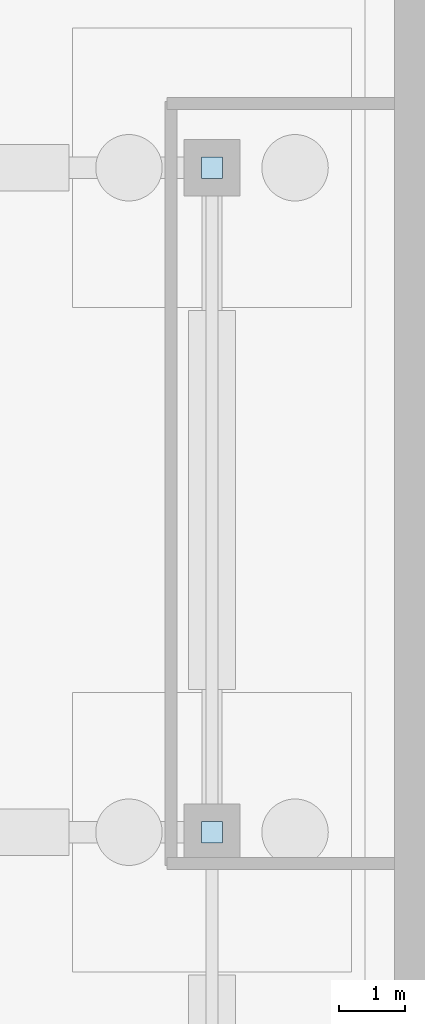
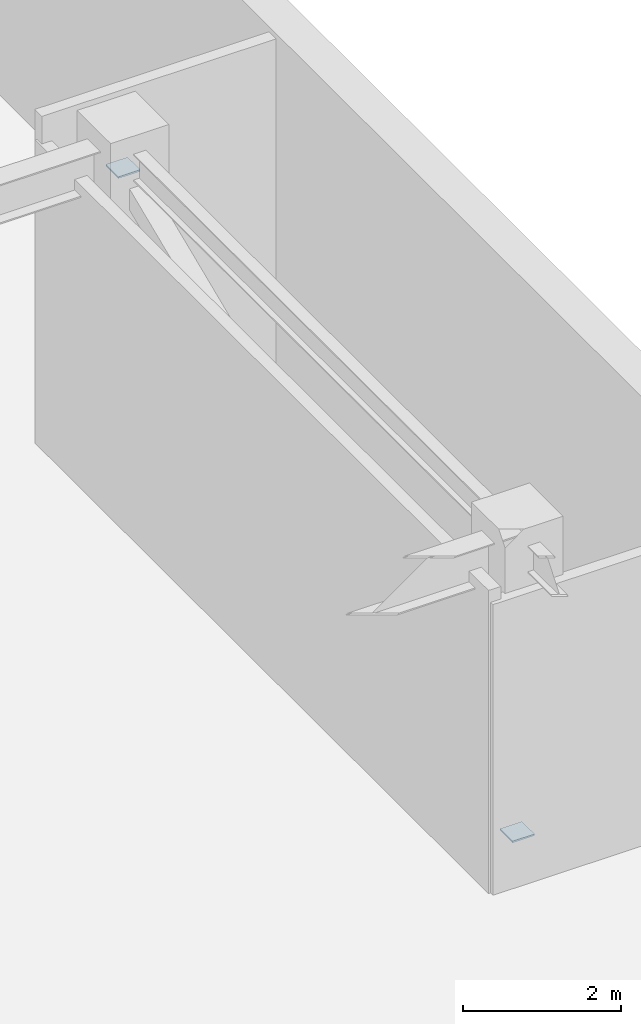
# One storey, part 6 of 22: 2 plates.
"""IFC4 building model written with IfcOpenShell, lengths in metres."""

import ifcopenshell
import ifcopenshell.guid

model = None  # the IFC model being written
_history = None  # IfcOwnerHistory: only IFC2X3 demands one
_inside = {}  # id of a spatial element -> (the spatial element, [elements in it])
_under = {}  # id of a project, library or spatial element -> (it, [spatial elements below it])
_declared = {}  # id of a project -> (the project, [libraries it declares])
_typed = {}  # id of a type object -> (the type object, [elements of that type])
_made_of = {}  # id of a material, layer set ... -> (it, [elements and type objects made of it])


def new_model(schema):
    """Start an empty IFC model of exactly this schema.

    Asked for "IFC4X3", IfcOpenShell would pick the latest addendum, in which some entities
    have other attributes; the version numbers below select the first issue.
    IFC2X3 requires an IfcOwnerHistory on every rooted entity: one is made here for all.
    """
    global model, _history
    if schema == "IFC4X3":
        model = ifcopenshell.file(schema_version=(4, 3, 0, 0))
    else:
        model = ifcopenshell.file(schema=schema)
    _inside.clear()
    _under.clear()
    _declared.clear()
    _typed.clear()
    _made_of.clear()
    _history = None
    if model.schema == "IFC2X3":
        org = make("IfcOrganization", Name="unknown")
        user = make(
            "IfcPersonAndOrganization",
            ThePerson=make("IfcPerson", FamilyName="unknown"),
            TheOrganization=org,
        )
        app = make(
            "IfcApplication",
            ApplicationDeveloper=org,
            Version="unknown",
            ApplicationFullName="unknown",
            ApplicationIdentifier="unknown",
        )
        _history = make(
            "IfcOwnerHistory",
            OwningUser=user,
            OwningApplication=app,
            ChangeAction="ADDED",
            CreationDate=0,
        )
    return model


def make(cls, **values):
    """One entity of the class cls with the attributes given. An attribute that is None is left unset."""
    return model.create_entity(
        cls, **{name: value for name, value in values.items() if value is not None}
    )


def rooted(cls, **values):
    """An entity with a GlobalId (a new one), such as an element, a storey or a relation."""
    return make(cls, GlobalId=ifcopenshell.guid.new(), OwnerHistory=_history, **values)


def si_unit(unit_type, name, prefix=None):
    """IfcSIUnit, for example si_unit("LENGTHUNIT", "METRE", prefix="MILLI")."""
    return make("IfcSIUnit", UnitType=unit_type, Prefix=prefix, Name=name)


def assignment(units):
    """IfcUnitAssignment: the units of a project."""
    return None if units is None else make("IfcUnitAssignment", Units=units)


def point(xyz):
    """IfcCartesianPoint."""
    return None if xyz is None else make("IfcCartesianPoint", Coordinates=xyz)


def direction(xyz):
    """IfcDirection."""
    return None if xyz is None else make("IfcDirection", DirectionRatios=xyz)


def frame(location, z_axis=None, x_axis=None):
    """IfcAxis2Placement3D, a coordinate frame: its origin and axes. An axis left out is left unset."""
    return make(
        "IfcAxis2Placement3D",
        Location=point(location),
        Axis=direction(z_axis),
        RefDirection=direction(x_axis),
    )


def frame_2d(location, x_axis=None):
    """IfcAxis2Placement2D, a coordinate frame in the plane: its origin and x axis."""
    return make(
        "IfcAxis2Placement2D", Location=point(location), RefDirection=direction(x_axis)
    )


def origin():
    """The frame at (0, 0, 0) with its axes left unset."""
    return frame((0.0, 0.0, 0.0))


def origin_2d():
    """The frame at (0, 0) in the plane with its x axis left unset."""
    return frame_2d((0.0, 0.0))


def place(relative_to, where):
    """IfcLocalPlacement: puts the frame where relative to a parent placement (None: the world)."""
    return make(
        "IfcLocalPlacement", PlacementRelTo=relative_to, RelativePlacement=where
    )


def context(
    kind, dimensions, precision=None, world=None, true_north=None, identifier=None
):
    """IfcGeometricRepresentationContext, for example the 3D "Model" context."""
    return make(
        "IfcGeometricRepresentationContext",
        ContextIdentifier=identifier,
        ContextType=kind,
        CoordinateSpaceDimension=dimensions,
        Precision=precision,
        WorldCoordinateSystem=world,
        TrueNorth=true_north,
    )


def subcontext(parent, identifier, kind, view, scale=None):
    """IfcGeometricRepresentationSubContext, for example "Body" below "Model"."""
    return make(
        "IfcGeometricRepresentationSubContext",
        ContextIdentifier=identifier,
        ContextType=kind,
        ParentContext=parent,
        TargetScale=scale,
        TargetView=view,
    )


def project(units=None, contexts=None):
    """IfcProject with its units and contexts."""
    return rooted(
        "IfcProject",
        Name="project",
        RepresentationContexts=contexts,
        UnitsInContext=assignment(units),
    )


def spatial(cls, under=None, at=None, **own):
    """A site, building, storey or space (cls), placed at a placement, below another one or the project."""
    s = rooted(cls, ObjectPlacement=at, **own)
    if under is not None:
        _under.setdefault(under.id(), (under, []))[1].append(s)
    return s


def profile(cls, at=None, kind="AREA", **sizes):
    """A parametric profile (cls). Its sizes go by their IFC names, for example OverallWidth=200.0."""
    return make(cls, ProfileType=kind, Position=at, **sizes)


def rectangle(**sizes):
    """IfcRectangleProfileDef."""
    return profile("IfcRectangleProfileDef", **sizes)


def extrude(swept, where, along, depth):
    """IfcExtrudedAreaSolid: the profile swept, set in the frame where, extruded along a direction by depth."""
    return make(
        "IfcExtrudedAreaSolid",
        SweptArea=swept,
        Position=where,
        ExtrudedDirection=direction(along),
        Depth=depth,
    )


def shape(context_of_items, identifier, shape_type, items):
    """IfcShapeRepresentation: the items that make up one representation, for example the "Body"."""
    return make(
        "IfcShapeRepresentation",
        ContextOfItems=context_of_items,
        RepresentationIdentifier=identifier,
        RepresentationType=shape_type,
        Items=items,
    )


def material(Name=None, Category=None):
    """IfcMaterial."""
    return make("IfcMaterial", Name=Name, Category=Category)


def layer(
    of_material, thickness, ventilated=None, Name=None, Category=None, Priority=None
):
    """IfcMaterialLayer: one layer of a wall or slab, of a material (None: an air gap)."""
    return make(
        "IfcMaterialLayer",
        Material=of_material,
        LayerThickness=thickness,
        IsVentilated=ventilated,
        Name=Name,
        Category=Category,
        Priority=Priority,
    )


def layer_set(layers, Name=None):
    """IfcMaterialLayerSet."""
    return make("IfcMaterialLayerSet", MaterialLayers=layers, LayerSetName=Name)


def made_of(thing, what):
    """Note that an element or type object is made of a material, layer set ...; save() writes the relation."""
    if what is not None:
        _made_of.setdefault(what.id(), (what, []))[1].append(thing)
    return thing


def type_object(cls, material=None, **own):
    """A type object (cls), such as IfcWallType, which elements share."""
    return made_of(rooted(cls, **own), material)


def element(
    cls,
    number,
    at=None,
    inside=None,
    cuts=None,
    type_object=None,
    material=None,
    context=None,
    identifier="Body",
    shape_type=None,
    held_by="IfcProductDefinitionShape",
    body=None,
    shapes=None,
    **own,
):
    """One element of the class cls, such as IfcWall. Its Tag is "e" and its number.

    at: its placement. inside: the storey or other place that contains it. cuts: it is an
    opening in that element (IfcRelVoidsElement). A single representation is given by context,
    identifier, shape_type and body (its items); several are given by shapes. held_by: the class
    of the entity that holds the representations. save() writes the other relations.
    """
    e = rooted(cls, Tag="e%d" % number, ObjectPlacement=at, **own)
    if body is not None:
        shapes = [shape(context, identifier, shape_type, body)]
    if shapes is not None:
        e.Representation = make(held_by, Representations=shapes)
    if inside is not None:
        _inside.setdefault(inside.id(), (inside, []))[1].append(e)
    if cuts is not None:
        rooted(
            "IfcRelVoidsElement", RelatingBuildingElement=cuts, RelatedOpeningElement=e
        )
    if type_object is not None:
        _typed.setdefault(type_object.id(), (type_object, []))[1].append(e)
    return made_of(e, material)


def aggregate(whole, parts):
    """IfcRelAggregates: a whole, such as a stair, and the parts it consists of."""
    return rooted("IfcRelAggregates", RelatingObject=whole, RelatedObjects=parts)


def save(model, path):
    """Write the relations noted so far, then the file.

    IfcRelAggregates (storeys below a building ...), IfcRelContainedInSpatialStructure (elements
    in a storey), IfcRelDefinesByType, IfcRelAssociatesMaterial and IfcRelDeclares: one each for
    every whole, place, type object, material and project.
    """
    for whole, parts in _under.values():
        aggregate(whole, parts)
    for where, things in _inside.values():
        rooted(
            "IfcRelContainedInSpatialStructure",
            RelatedElements=things,
            RelatingStructure=where,
        )
    for kind, things in _typed.values():
        rooted("IfcRelDefinesByType", RelatedObjects=things, RelatingType=kind)
    for what, things in _made_of.values():
        rooted("IfcRelAssociatesMaterial", RelatedObjects=things, RelatingMaterial=what)
    for by, libraries in _declared.values():
        rooted("IfcRelDeclares", RelatingContext=by, RelatedDefinitions=libraries)
    model.write(path)


model = new_model("IFC4")

# Units and contexts
model_context = context("Model", 3, precision=1e-05, world=origin(), true_north=direction((0.0, 1.0)))
body_context = subcontext(model_context, "Body", "Model", "MODEL_VIEW")
ifc_project = project(units=[si_unit("LENGTHUNIT", "METRE"), si_unit("AREAUNIT", "SQUARE_METRE"), si_unit("VOLUMEUNIT", "CUBIC_METRE"), si_unit("PLANEANGLEUNIT", "RADIAN"), si_unit("MASSUNIT", "GRAM", prefix="KILO")], contexts=[model_context])

# Site, building, storey
site_placement = place(None, origin())
site = spatial("IfcSite", under=ifc_project, at=site_placement, CompositionType="ELEMENT")
building_placement = place(site_placement, origin())
building = spatial("IfcBuilding", under=site, at=building_placement, Name="Kazevale Care Tower and Concert Hall", CompositionType="ELEMENT")
storey_placement = place(building_placement, frame((0.0, 0.0, -5.39990234375)))
storey = spatial("IfcBuildingStorey", under=building, at=storey_placement, Name="B1", CompositionType="ELEMENT", Elevation=-5.39990234375)

# Plates
ifc_material = material(Name="Steel ASTM A572 Gr 50", Category="steel")
ifc_layer = layer(ifc_material, 0.02490234375)
ifc_layer_set = layer_set([ifc_layer], Name="Steel ASTM A572 Gr 50")
plate_type = type_object("IfcPlateType", Name="Hollow Section End Cap Plate 25mm", PredefinedType="USERDEFINED", material=ifc_layer_set)
for number, where, z_axis, x_axis, name in (
    (1, (145.0, 47.0, 0.387451171875), (0.0, 0.0, 1.0), (1.0, 0.0, 0.0), "brace:B1:hwW:cap0"),
    (2, (145.0, 57.0, 4.607421875), (0.0, 0.0, 1.0), (1.0, 0.0, 0.0), "brace:B1:hwW:cap1"),
):
    element("IfcPlate", number, at=place(storey_placement, frame(where, z_axis=z_axis, x_axis=x_axis)), inside=storey, type_object=plate_type, Name=name, ObjectType="END_CAP_PLATE", PredefinedType="USERDEFINED", context=body_context, shape_type="SweptSolid", body=[
        extrude(rectangle(XDim=0.320068359375, YDim=0.320068359375, at=origin_2d()), origin(), (0.0, 0.0, 1.0), 0.02490234375),
    ])

save(model, "model.ifc")
